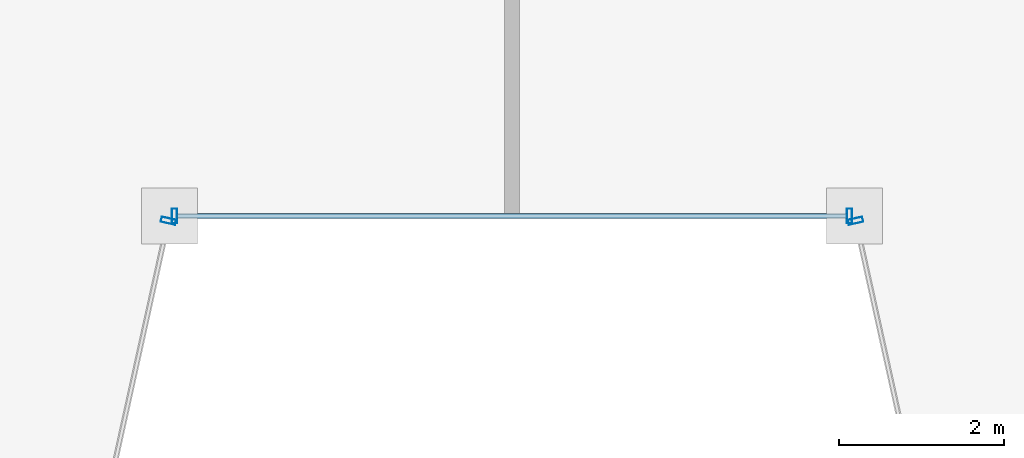
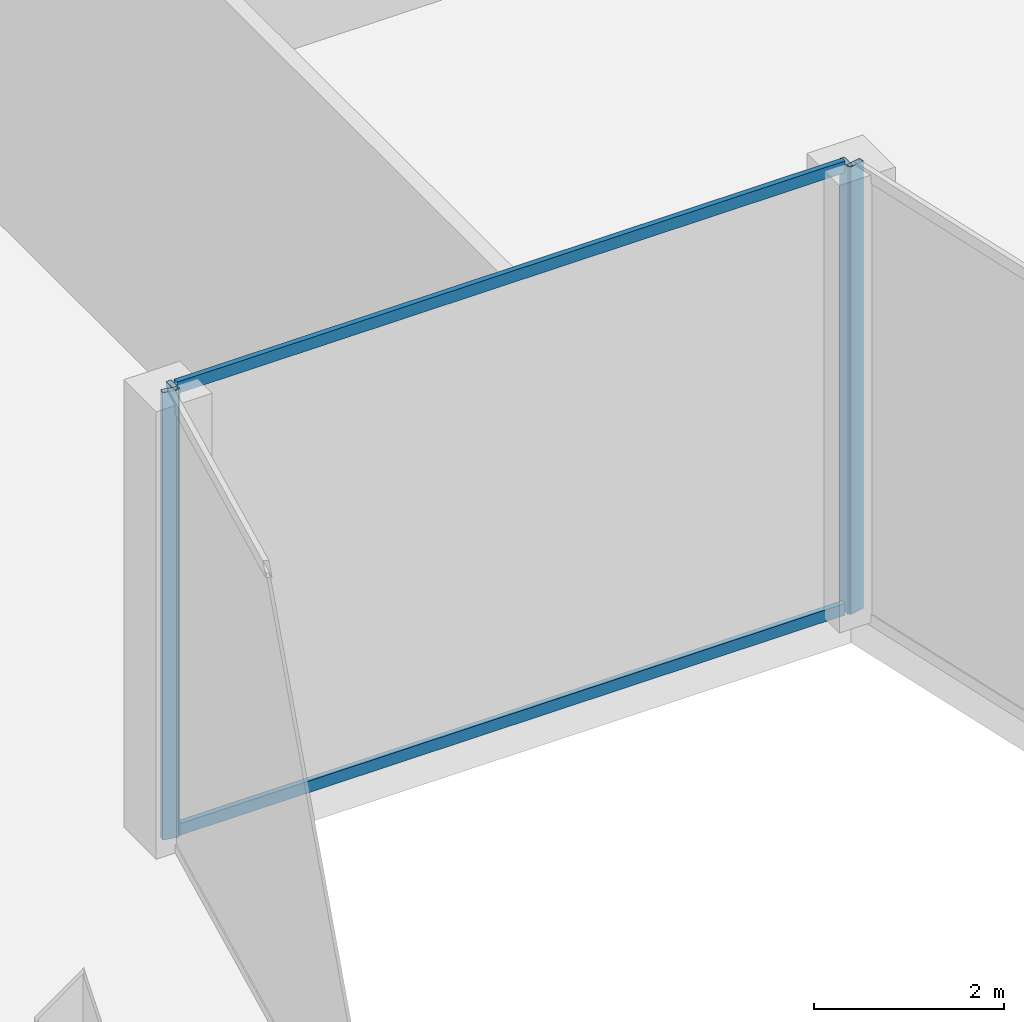
# One storey, part 7 of 30: 6 members, 3 elements without a shape of their own.
"""IFC4 building model written with IfcOpenShell, lengths in metres."""

from ifc_helpers import new_model, si_unit, direction, frame, origin, origin_2d, place, context, subcontext, project, spatial, hollow_rectangle, extrude, material, material_profile, profile_set, type_object, element, aggregate, save


model = new_model("IFC4")

# Units and contexts
model_context = context("Model", 3, precision=1e-05, world=origin(), true_north=direction((0.0, 1.0)))
body_context = subcontext(model_context, "Body", "Model", "MODEL_VIEW")
ifc_project = project(units=[si_unit("LENGTHUNIT", "METRE"), si_unit("AREAUNIT", "SQUARE_METRE"), si_unit("VOLUMEUNIT", "CUBIC_METRE"), si_unit("PLANEANGLEUNIT", "RADIAN"), si_unit("MASSUNIT", "GRAM", prefix="KILO")], contexts=[model_context])

# Site, building, storey
site_placement = place(None, origin())
site = spatial("IfcSite", under=ifc_project, at=site_placement, CompositionType="ELEMENT")
building_placement = place(site_placement, origin())
building = spatial("IfcBuilding", under=site, at=building_placement, Name="Saevonmaru Cultural Tower", CompositionType="ELEMENT")
storey_placement = place(building_placement, frame((0.0, 0.0, 123.60009765625)))
storey = spatial("IfcBuildingStorey", under=building, at=storey_placement, Name="L26", CompositionType="ELEMENT", Elevation=123.60009765625)

# Curtain wall, member
ifc_material = material(Name="Satin Bronze Anodised Aluminium", Category="aluminium")
curtain_wall_type = type_object("IfcCurtainWallType", Name="CW-TYP-A", PredefinedType="NOTDEFINED", material=ifc_material)
curtain_wall_1_placement = place(storey_placement, origin())
curtain_wall_1 = element("IfcCurtainWall", 1, at=curtain_wall_1_placement, inside=storey, type_object=curtain_wall_type, Name="L26 Wind-Floor Acoustic Louvre Screen E3", PredefinedType="NOTDEFINED")
ifc_material_profile_1 = material_profile(ifc_material, hollow_rectangle(XDim=0.06494140625, YDim=0.179931640625, WallThickness=0.00390625, at=origin_2d()), Name="ALU-MULL-180x65x4")
ifc_profile_set_1 = profile_set([ifc_material_profile_1], Name="Satin Bronze Anodised Aluminium")
member_type_1 = type_object("IfcMemberType", Name="ML-CW-180x65", PredefinedType="MULLION", material=ifc_profile_set_1)
member_1_placement = place(storey_placement, frame((25.8359375, 20.741455078125, 0.0), z_axis=(0.0, 0.0, 1.0), x_axis=(0.215413319953, 0.976522965212, 0.0)))
member_1 = element("IfcMember", 2, at=member_1_placement, type_object=member_type_1, Name="CW-TW-L26-E3 mullion 2", PredefinedType="MULLION", context=body_context, shape_type="SweptSolid", body=[
    extrude(hollow_rectangle(XDim=0.06494140625, YDim=0.179931640625, WallThickness=0.00390625, at=origin_2d()), origin(), (0.0, 0.0, 1.0), 5.75),
])
aggregate(curtain_wall_1, [member_1])

# Curtain wall, members
curtain_wall_2_placement = place(storey_placement, origin())
curtain_wall_2 = element("IfcCurtainWall", 3, at=curtain_wall_2_placement, inside=storey, type_object=curtain_wall_type, Name="L26 Wind-Floor Acoustic Louvre Screen E4", PredefinedType="NOTDEFINED")
member_2_placement = place(storey_placement, frame((25.908935546875, 20.800048828125, 0.0), z_axis=(0.0, 0.0, 1.0), x_axis=(1.0, 0.0, 0.0)))
member_2 = element("IfcMember", 4, at=member_2_placement, type_object=member_type_1, Name="CW-TW-L26-E4 mullion 1", PredefinedType="MULLION", context=body_context, shape_type="SweptSolid", body=[
    extrude(hollow_rectangle(XDim=0.06494140625, YDim=0.179931640625, WallThickness=0.00390625, at=origin_2d()), origin(), (0.0, 0.0, 1.0), 5.75),
])
member_3_placement = place(storey_placement, frame((34.091064453125, 20.800048828125, 0.0), z_axis=(0.0, 0.0, 1.0), x_axis=(1.0, 0.0, 0.0)))
member_3 = element("IfcMember", 5, at=member_3_placement, type_object=member_type_1, Name="CW-TW-L26-E4 mullion 2", PredefinedType="MULLION", context=body_context, shape_type="SweptSolid", body=[
    extrude(hollow_rectangle(XDim=0.06494140625, YDim=0.179931640625, WallThickness=0.00390625, at=origin_2d()), origin(), (0.0, 0.0, 1.0), 5.75),
])

# Curtain wall, member
curtain_wall_3_placement = place(storey_placement, origin())
curtain_wall_3 = element("IfcCurtainWall", 6, at=curtain_wall_3_placement, inside=storey, type_object=curtain_wall_type, Name="L26 Wind-Floor Acoustic Louvre Screen E5", PredefinedType="NOTDEFINED")
member_4_placement = place(storey_placement, frame((34.1640625, 20.741455078125, 0.0), z_axis=(0.0, 0.0, 1.0), x_axis=(0.215413319953, -0.976522965212, 0.0)))
member_4 = element("IfcMember", 7, at=member_4_placement, type_object=member_type_1, Name="CW-TW-L26-E5 mullion 1", PredefinedType="MULLION", context=body_context, shape_type="SweptSolid", body=[
    extrude(hollow_rectangle(XDim=0.06494140625, YDim=0.179931640625, WallThickness=0.00390625, at=origin_2d()), origin(), (0.0, 0.0, 1.0), 5.75),
])
aggregate(curtain_wall_3, [member_4])

# Member
ifc_material_profile_2 = material_profile(ifc_material, hollow_rectangle(XDim=0.06494140625, YDim=0.14990234375, WallThickness=0.00390625, at=origin_2d()), Name="ALU-TRAN-150x65x4")
ifc_profile_set_2 = profile_set([ifc_material_profile_2], Name="Satin Bronze Anodised Aluminium")
member_type_2 = type_object("IfcMemberType", Name="TR-CW-150x65", PredefinedType="USERDEFINED", material=ifc_profile_set_2)
member_5_placement = place(storey_placement, frame((25.94140625, 20.800048828125, 0.032470703125), z_axis=(1.0, 0.0, 0.0), x_axis=(0.0, 1.0, 0.0)))
member_5 = element("IfcMember", 8, at=member_5_placement, type_object=member_type_2, Name="CW-TW-L26-E4 transom 1.1", ObjectType="TRANSOM", PredefinedType="USERDEFINED", context=body_context, shape_type="SweptSolid", body=[
    extrude(hollow_rectangle(XDim=0.06494140625, YDim=0.14990234375, WallThickness=0.00390625, at=origin_2d()), origin(), (0.0, 0.0, 1.0), 8.1171875),
])

member_6_placement = place(storey_placement, frame((25.94140625, 20.800048828125, 5.71728515625), z_axis=(1.0, 0.0, 0.0), x_axis=(0.0, 1.0, 0.0)))
member_6 = element("IfcMember", 9, at=member_6_placement, type_object=member_type_2, Name="CW-TW-L26-E4 transom 1.2", ObjectType="TRANSOM", PredefinedType="USERDEFINED", context=body_context, shape_type="SweptSolid", body=[
    extrude(hollow_rectangle(XDim=0.06494140625, YDim=0.14990234375, WallThickness=0.00390625, at=origin_2d()), origin(), (0.0, 0.0, 1.0), 8.1171875),
])

aggregate(curtain_wall_2, [member_2, member_3, member_5, member_6])

save(model, "model.ifc")
